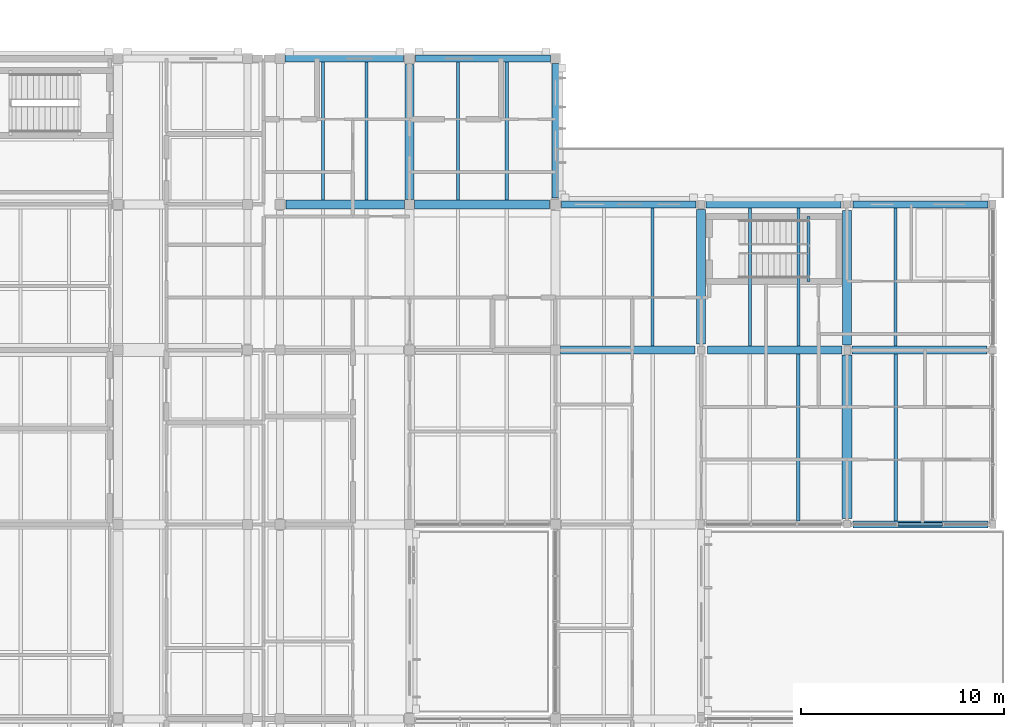
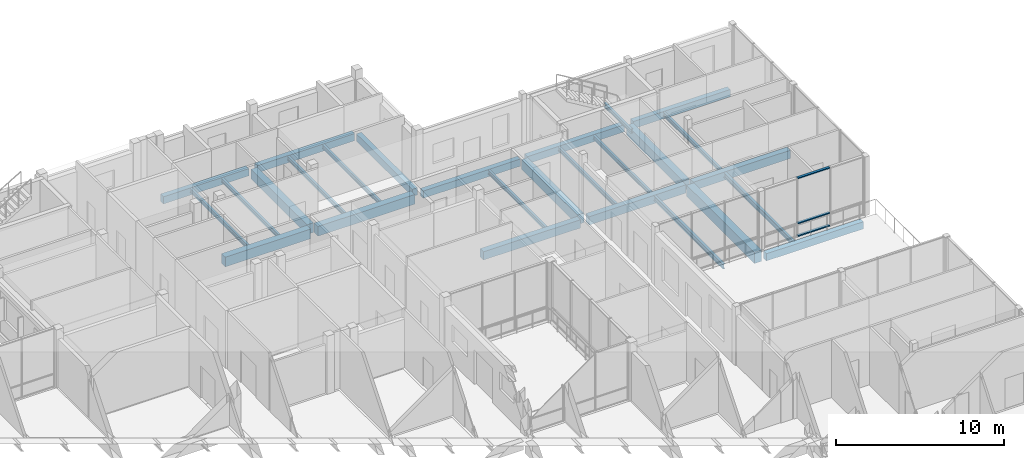
# One storey, part 92 of 146: 27 beams, 3 members, 1 element without a shape of its own.
"""IFC4 building model written with IfcOpenShell, lengths in metres."""

from ifc_helpers import new_model, si_unit, direction, frame, origin, origin_2d, place, context, subcontext, project, spatial, rectangle, hollow_rectangle, i_section, extrude, material, material_profile, profile_set, type_object, element, aggregate, save


model = new_model("IFC4")

# Units and contexts
model_context = context("Model", 3, precision=1e-05, world=origin(), true_north=direction((0.0, 1.0)))
body_context = subcontext(model_context, "Body", "Model", "MODEL_VIEW")
ifc_project = project(units=[si_unit("LENGTHUNIT", "METRE"), si_unit("AREAUNIT", "SQUARE_METRE"), si_unit("VOLUMEUNIT", "CUBIC_METRE"), si_unit("PLANEANGLEUNIT", "RADIAN"), si_unit("MASSUNIT", "GRAM", prefix="KILO")], contexts=[model_context])

# Site, building, storey
site_placement = place(None, origin())
site = spatial("IfcSite", under=ifc_project, at=site_placement, CompositionType="ELEMENT")
building_placement = place(site_placement, origin())
building = spatial("IfcBuilding", under=site, at=building_placement, Name="Hawrajan Terrace Health Centre", CompositionType="ELEMENT")
storey_placement = place(building_placement, frame((0.0, 0.0, 4.5)))
storey = spatial("IfcBuildingStorey", under=building, at=storey_placement, Name="L01", CompositionType="ELEMENT", Elevation=4.5)

# Curtain wall, members
ifc_material_1 = material(Name="Anodized bronze aluminium and low-E solar glazing", Category="aluminium")
curtain_wall_type = type_object("IfcCurtainWallType", Name="CW_Clerestory_SeriesG2", PredefinedType="USERDEFINED", material=ifc_material_1)
curtain_wall_placement = place(storey_placement, origin())
curtain_wall = element("IfcCurtainWall", 1, at=curtain_wall_placement, inside=storey, type_object=curtain_wall_type, Name="Curtain wall CW-L01-113", ObjectType="UNITISED CURTAIN WALL", PredefinedType="USERDEFINED")
ifc_material_2 = material(Name="Anodized bronze aluminium 6063-T6", Category="aluminium")
ifc_material_profile_1 = material_profile(ifc_material_2, hollow_rectangle(XDim=0.074951171875, YDim=0.169921875, WallThickness=0.00439453125, at=origin_2d()), Name="CW TRN 75x170")
ifc_profile_set_1 = profile_set([ifc_material_profile_1], Name="Anodized bronze aluminium 6063-T6")
member_type = type_object("IfcMemberType", Name="CWTransom_75x170", PredefinedType="USERDEFINED", material=ifc_profile_set_1)
member_1_placement = place(storey_placement, frame((160.710693359375, 36.800048828125, 0.03759765625), z_axis=(1.0, 0.0, 0.0), x_axis=(0.0, 0.0, 1.0)))
member_1 = element("IfcMember", 2, at=member_1_placement, type_object=member_type, Name="Transom CW-L01-113-T2-1", ObjectType="TRANSOM", PredefinedType="USERDEFINED", context=body_context, shape_type="SweptSolid", body=[
    extrude(hollow_rectangle(XDim=0.074951171875, YDim=0.169921875, WallThickness=0.00439453125, at=origin_2d()), origin(), (0.0, 0.0, 1.0), 2.198486328125),
])
member_2_placement = place(storey_placement, frame((160.710693359375, 36.800048828125, 0.949951171875), z_axis=(1.0, 0.0, 0.0), x_axis=(0.0, 0.0, 1.0)))
member_2 = element("IfcMember", 3, at=member_2_placement, type_object=member_type, Name="Transom CW-L01-113-T2-2", ObjectType="TRANSOM", PredefinedType="USERDEFINED", context=body_context, shape_type="SweptSolid", body=[
    extrude(hollow_rectangle(XDim=0.074951171875, YDim=0.169921875, WallThickness=0.00439453125, at=origin_2d()), origin(), (0.0, 0.0, 1.0), 2.198486328125),
])
member_3_placement = place(storey_placement, frame((160.710693359375, 36.800048828125, 4.222412109375), z_axis=(1.0, 0.0, 0.0), x_axis=(0.0, 0.0, 1.0)))
member_3 = element("IfcMember", 4, at=member_3_placement, type_object=member_type, Name="Transom CW-L01-113-T2-3", ObjectType="TRANSOM", PredefinedType="USERDEFINED", context=body_context, shape_type="SweptSolid", body=[
    extrude(hollow_rectangle(XDim=0.074951171875, YDim=0.169921875, WallThickness=0.00439453125, at=origin_2d()), origin(), (0.0, 0.0, 1.0), 2.198486328125),
])
aggregate(curtain_wall, [member_1, member_2, member_3])

# Beams
ifc_material_3 = material(Name="Concrete C40/50", Category="concrete")
ifc_material_profile_2 = material_profile(ifc_material_3, rectangle(XDim=0.39990234375, YDim=0.60009765625, at=origin_2d()), Name="RC BM 400x600")
ifc_profile_set_2 = profile_set([ifc_material_profile_2], Name="Concrete C40/50")
beam_type_1 = type_object("IfcBeamType", Name="RCGirder_400x600", PredefinedType="BEAM", material=ifc_profile_set_2)
for number, where, z_axis, x_axis, name in (
    (5, (144.050048828125, 45.39990234375, -0.699951171875), (1.0, 0.0, 0.0), (0.0, 1.0, 0.0), "Beam BM-X-L01-E-19-Y6"),
    (6, (151.300048828125, 45.39990234375, -0.699951171875), (1.0, 0.0, 0.0), (0.0, 1.0, 0.0), "Beam BM-X-L01-E-20-Y6"),
):
    element("IfcBeam", number, at=place(storey_placement, frame(where, z_axis=z_axis, x_axis=x_axis)), inside=storey, type_object=beam_type_1, Name=name, PredefinedType="BEAM", context=body_context, shape_type="SweptSolid", body=[
        extrude(rectangle(XDim=0.39990234375, YDim=0.60009765625, at=origin_2d()), origin(), (0.0, 0.0, 1.0), 6.64990234375),
    ])
beam_1_placement = place(storey_placement, frame((158.449951171875, 45.39990234375, -0.699951171875), z_axis=(1.0, 0.0, 0.0), x_axis=(0.0, 1.0, 0.0)))
element("IfcBeam", 7, at=beam_1_placement, inside=storey, type_object=beam_type_1, Name="Beam BM-X-L01-E-21-Y6", PredefinedType="BEAM", context=body_context, shape_type="SweptSolid", body=[
    extrude(rectangle(XDim=0.39990234375, YDim=0.60009765625, at=origin_2d()), origin(), (0.0, 0.0, 1.0), 6.650146484375),
])
ifc_material_profile_3 = material_profile(ifc_material_3, rectangle(XDim=0.449951171875, YDim=0.699951171875, at=origin_2d()), Name="RC BM 450x700")
ifc_profile_set_3 = profile_set([ifc_material_profile_3], Name="Concrete C40/50")
beam_type_2 = type_object("IfcBeamType", Name="RCGirder_450x700", PredefinedType="BEAM", material=ifc_profile_set_3)
beam_2_placement = place(storey_placement, frame((130.5, 52.60009765625, -0.75), z_axis=(1.0, 0.0, 0.0), x_axis=(0.0, 1.0, 0.0)))
element("IfcBeam", 8, at=beam_2_placement, inside=storey, type_object=beam_type_2, Name="Beam BM-X-L01-E-17-Y7", PredefinedType="BEAM", context=body_context, shape_type="SweptSolid", body=[
    extrude(rectangle(XDim=0.449951171875, YDim=0.699951171875, at=origin_2d()), origin(), (0.0, 0.0, 1.0), 5.85009765625),
])
for number, where, z_axis, x_axis, name in (
    (9, (136.85009765625, 52.60009765625, -0.75), (1.0, 0.0, 0.0), (0.0, 1.0, 0.0), "Beam BM-X-L01-E-18-Y7"),
    (10, (136.60009765625, 52.85009765625, -0.75), (0.0, 1.0, 0.0), (-1.0, 0.0, 0.0), "Beam BM-Y-L01-E-X18-7"),
):
    element("IfcBeam", number, at=place(storey_placement, frame(where, z_axis=z_axis, x_axis=x_axis)), inside=storey, type_object=beam_type_2, Name=name, PredefinedType="BEAM", context=body_context, shape_type="SweptSolid", body=[
        extrude(rectangle(XDim=0.449951171875, YDim=0.699951171875, at=origin_2d()), origin(), (0.0, 0.0, 1.0), 6.64990234375),
    ])
for number, where, z_axis, x_axis, name in (
    (11, (151.0, 45.699951171875, -0.75), (0.0, 1.0, 0.0), (-1.0, 0.0, 0.0), "Beam BM-Y-L01-E-X20-6"),
    (12, (158.199951171875, 45.64990234375, -0.75), (0.0, 1.0, 0.0), (-1.0, 0.0, 0.0), "Beam BM-Y-L01-E-X21-6"),
):
    element("IfcBeam", number, at=place(storey_placement, frame(where, z_axis=z_axis, x_axis=x_axis)), inside=storey, type_object=beam_type_2, Name=name, PredefinedType="BEAM", context=body_context, shape_type="SweptSolid", body=[
        extrude(rectangle(XDim=0.449951171875, YDim=0.699951171875, at=origin_2d()), origin(), (0.0, 0.0, 1.0), 6.650146484375),
    ])
ifc_material_profile_4 = material_profile(ifc_material_3, rectangle(XDim=0.5, YDim=0.800048828125, at=origin_2d()), Name="RC BM 500x800")
ifc_profile_set_4 = profile_set([ifc_material_profile_4], Name="Concrete C40/50")
beam_type_3 = type_object("IfcBeamType", Name="RCGirder_500x800", PredefinedType="BEAM", material=ifc_profile_set_4)
beam_3_placement = place(storey_placement, frame((158.199951171875, 37.10009765625, -0.800048828125), z_axis=(0.0, 1.0, 0.0), x_axis=(-1.0, 0.0, 0.0)))
element("IfcBeam", 13, at=beam_3_placement, inside=storey, type_object=beam_type_3, Name="Beam BM-Y-L01-E-X21-5", PredefinedType="BEAM", context=body_context, shape_type="SweptSolid", body=[
    extrude(rectangle(XDim=0.5, YDim=0.800048828125, at=origin_2d()), origin(), (0.0, 0.0, 1.0), 8.0498046875),
])
ifc_material_profile_5 = material_profile(ifc_material_3, rectangle(XDim=0.35009765625, YDim=0.52001953125, at=origin_2d()), Name="RC SP 350x520")
ifc_profile_set_5 = profile_set([ifc_material_profile_5], Name="Concrete C40/50")
beam_type_4 = type_object("IfcBeamType", Name="RCSpandrel_350x520", PredefinedType="SPANDREL", material=ifc_profile_set_5)
beam_4_placement = place(storey_placement, frame((130.449951171875, 59.800048828125, -0.659912109375), z_axis=(1.0, 0.0, 0.0), x_axis=(0.0, 1.0, 0.0)))
element("IfcBeam", 14, at=beam_4_placement, inside=storey, type_object=beam_type_4, Name="Beam BM-X-L01-E-17-Y8", PredefinedType="SPANDREL", context=body_context, shape_type="SweptSolid", body=[
    extrude(rectangle(XDim=0.35009765625, YDim=0.52001953125, at=origin_2d()), origin(), (0.0, 0.0, 1.0), 5.85009765625),
])
beam_5_placement = place(storey_placement, frame((136.89990234375, 59.800048828125, -0.659912109375), z_axis=(1.0, 0.0, 0.0), x_axis=(0.0, 1.0, 0.0)))
element("IfcBeam", 15, at=beam_5_placement, inside=storey, type_object=beam_type_4, Name="Beam BM-X-L01-E-18-Y8", PredefinedType="SPANDREL", context=body_context, shape_type="SweptSolid", body=[
    extrude(rectangle(XDim=0.35009765625, YDim=0.52001953125, at=origin_2d()), origin(), (0.0, 0.0, 1.0), 6.650146484375),
])
for number, where, z_axis, x_axis, name in (
    (16, (144.10009765625, 52.60009765625, -0.659912109375), (1.0, 0.0, 0.0), (0.0, 1.0, 0.0), "Beam BM-X-L01-E-19-Y7"),
    (17, (151.25, 52.60009765625, -0.659912109375), (1.0, 0.0, 0.0), (0.0, 1.0, 0.0), "Beam BM-X-L01-E-20-Y7"),
    (18, (158.5, 36.800048828125, -0.659912109375), (1.0, 0.0, 0.0), (0.0, 1.0, 0.0), "Beam BM-X-L01-E-21-Y5"),
    (19, (158.5, 52.60009765625, -0.659912109375), (1.0, 0.0, 0.0), (0.0, 1.0, 0.0), "Beam BM-X-L01-E-21-Y7"),
):
    element("IfcBeam", number, at=place(storey_placement, frame(where, z_axis=z_axis, x_axis=x_axis)), inside=storey, type_object=beam_type_4, Name=name, PredefinedType="SPANDREL", context=body_context, shape_type="SweptSolid", body=[
        extrude(rectangle(XDim=0.35009765625, YDim=0.52001953125, at=origin_2d()), origin(), (0.0, 0.0, 1.0), 6.64990234375),
    ])
beam_6_placement = place(storey_placement, frame((143.800048828125, 52.89990234375, -0.659912109375), z_axis=(0.0, 1.0, 0.0), x_axis=(-1.0, 0.0, 0.0)))
element("IfcBeam", 20, at=beam_6_placement, inside=storey, type_object=beam_type_4, Name="Beam BM-Y-L01-E-X19-7", PredefinedType="SPANDREL", context=body_context, shape_type="SweptSolid", body=[
    extrude(rectangle(XDim=0.35009765625, YDim=0.52001953125, at=origin_2d()), origin(), (0.0, 0.0, 1.0), 6.650146484375),
])
ifc_material_4 = material(Name="Steel S355", Category="steel")
ifc_material_profile_6 = material_profile(ifc_material_4, i_section(OverallWidth=0.14990234375, OverallDepth=0.300048828125, WebThickness=0.007080078125, FlangeThickness=0.0107421875, FilletRadius=0.014892578125, at=origin_2d()), Name="IPE 300")
ifc_profile_set_6 = profile_set([ifc_material_profile_6], Name="Steel S355")
beam_type_5 = type_object("IfcBeamType", Name="SteelBeam_IPE300", PredefinedType="JOIST", material=ifc_profile_set_6)
for number, where, z_axis, x_axis, name in (
    (21, (132.333251953125, 52.824951171875, -0.550048828125), (0.0, 1.0, 0.0), (-1.0, 0.0, 0.0), "Secondary joist JST-L01-E-17-7-1"),
    (22, (134.466796875, 52.824951171875, -0.550048828125), (0.0, 1.0, 0.0), (-1.0, 0.0, 0.0), "Secondary joist JST-L01-E-17-7-2"),
    (23, (139.0, 52.824951171875, -0.550048828125), (0.0, 1.0, 0.0), (-1.0, 0.0, 0.0), "Secondary joist JST-L01-E-18-7-1"),
    (24, (141.39990234375, 52.824951171875, -0.550048828125), (0.0, 1.0, 0.0), (-1.0, 0.0, 0.0), "Secondary joist JST-L01-E-18-7-2"),
):
    element("IfcBeam", number, at=place(storey_placement, frame(where, z_axis=z_axis, x_axis=x_axis)), inside=storey, type_object=beam_type_5, Name=name, PredefinedType="JOIST", context=body_context, shape_type="SweptSolid", body=[
        extrude(i_section(OverallWidth=0.14990234375, OverallDepth=0.300048828125, WebThickness=0.007080078125, FlangeThickness=0.0107421875, FilletRadius=0.014892578125, at=origin_2d()), origin(), (0.0, 0.0, 1.0), 6.800048828125),
    ])
for number, where, z_axis, x_axis, name in (
    (25, (148.60009765625, 45.60009765625, -0.550048828125), (0.0, 1.0, 0.0), (-1.0, 0.0, 0.0), "Secondary joist JST-L01-E-19-6-2"),
    (26, (153.39990234375, 45.60009765625, -0.550048828125), (0.0, 1.0, 0.0), (-1.0, 0.0, 0.0), "Secondary joist JST-L01-E-20-6-1"),
    (27, (155.800048828125, 45.60009765625, -0.550048828125), (0.0, 1.0, 0.0), (-1.0, 0.0, 0.0), "Secondary joist JST-L01-E-20-6-2"),
    (28, (160.60009765625, 45.60009765625, -0.550048828125), (0.0, 1.0, 0.0), (-1.0, 0.0, 0.0), "Secondary joist JST-L01-E-21-6-1"),
):
    element("IfcBeam", number, at=place(storey_placement, frame(where, z_axis=z_axis, x_axis=x_axis)), inside=storey, type_object=beam_type_5, Name=name, PredefinedType="JOIST", context=body_context, shape_type="SweptSolid", body=[
        extrude(i_section(OverallWidth=0.14990234375, OverallDepth=0.300048828125, WebThickness=0.007080078125, FlangeThickness=0.0107421875, FilletRadius=0.014892578125, at=origin_2d()), origin(), (0.0, 0.0, 1.0), 6.824951171875),
    ])
beam_7_placement = place(storey_placement, frame((156.300048828125, 48.800048828125, 1.8798828125), z_axis=(0.0, 1.0, 0.0), x_axis=(-1.0, 0.0, 0.0)))
element("IfcBeam", 29, at=beam_7_placement, inside=storey, type_object=beam_type_5, Name="Stair half-landing trimmer ST-9-L01-B1", PredefinedType="JOIST", context=body_context, shape_type="SweptSolid", body=[
    extrude(i_section(OverallWidth=0.14990234375, OverallDepth=0.300048828125, WebThickness=0.007080078125, FlangeThickness=0.0107421875, FilletRadius=0.014892578125, at=origin_2d()), origin(), (0.0, 0.0, 1.0), 3.199951171875),
])
ifc_material_profile_7 = material_profile(ifc_material_4, i_section(OverallWidth=0.169921875, OverallDepth=0.360107421875, WebThickness=0.008056640625, FlangeThickness=0.0126953125, FilletRadius=0.01806640625, at=origin_2d()), Name="IPE 360")
ifc_profile_set_7 = profile_set([ifc_material_profile_7], Name="Steel S355")
beam_type_6 = type_object("IfcBeamType", Name="SteelBeam_IPE360", PredefinedType="BEAM", material=ifc_profile_set_7)
for number, where, z_axis, x_axis, name in (
    (30, (155.800048828125, 36.97509765625, -0.580078125), (0.0, 1.0, 0.0), (-1.0, 0.0, 0.0), "Secondary joist JST-L01-E-20-5-2"),
    (31, (160.60009765625, 36.97509765625, -0.580078125), (0.0, 1.0, 0.0), (-1.0, 0.0, 0.0), "Secondary joist JST-L01-E-21-5-1"),
):
    element("IfcBeam", number, at=place(storey_placement, frame(where, z_axis=z_axis, x_axis=x_axis)), inside=storey, type_object=beam_type_6, Name=name, PredefinedType="BEAM", context=body_context, shape_type="SweptSolid", body=[
        extrude(i_section(OverallWidth=0.169921875, OverallDepth=0.360107421875, WebThickness=0.008056640625, FlangeThickness=0.0126953125, FilletRadius=0.01806640625, at=origin_2d()), origin(), (0.0, 0.0, 1.0), 8.224853515625),
    ])

save(model, "model.ifc")
